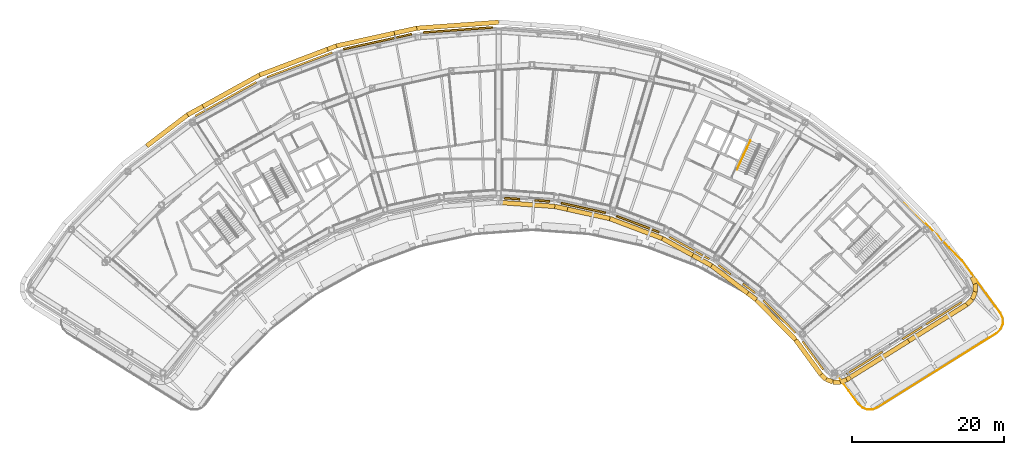
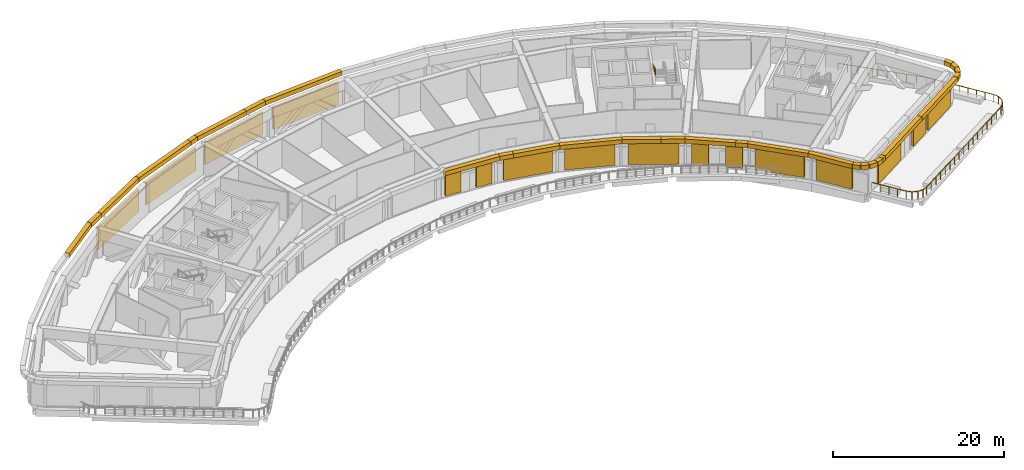
# One storey, part 23 of 26: 29 coverings, 16 shading devices, 2 railings.
"""IFC4 building model written with IfcOpenShell, lengths in metres."""

from ifc_helpers import new_model, si_unit, direction, frame, origin, origin_2d, place, context, subcontext, project, spatial, rectangle, circle, extrude, material, material_profile, profile_set, type_object, element, save


model = new_model("IFC4")

# Units and contexts
model_context = context("Model", 3, precision=1e-05, world=origin(), true_north=direction((0.0, 1.0)))
body_context = subcontext(model_context, "Body", "Model", "MODEL_VIEW")
ifc_project = project(units=[si_unit("LENGTHUNIT", "METRE"), si_unit("AREAUNIT", "SQUARE_METRE"), si_unit("VOLUMEUNIT", "CUBIC_METRE"), si_unit("PLANEANGLEUNIT", "RADIAN"), si_unit("MASSUNIT", "GRAM", prefix="KILO")], contexts=[model_context])

# Site, building, storey
site_placement = place(None, origin())
site = spatial("IfcSite", under=ifc_project, at=site_placement, CompositionType="ELEMENT")
building_placement = place(site_placement, origin())
building = spatial("IfcBuilding", under=site, at=building_placement, Name="Tuul Gate Civic Tower", CompositionType="ELEMENT")
storey_placement = place(building_placement, frame((0.0, 0.0, 167.60009765625)))
storey = spatial("IfcBuildingStorey", under=building, at=storey_placement, Name="Plant and refuge floor 5", CompositionType="ELEMENT", Elevation=167.60009765625)

# Shading devices
ifc_material_1 = material(Name="Aluminium louvre", Category="aluminium")
shading_device_type = type_object("IfcShadingDeviceType", Name="Louvre panel", PredefinedType="USERDEFINED", material=ifc_material_1)
for number, where, z_axis, x_axis, name in (
    (1, (-4.37646484375, 13.8037109375, 0.300048828125), (0.0, 0.0, 1.0), (-0.072232658914, 0.997387809724, 0.0), "Louvre panel"),
    (2, (-14.996826171875, 12.257080078125, 0.300048828125), (0.0, 0.0, 1.0), (-0.21523471371, 0.976562347223, 0.0), "Louvre panel"),
    (3, (-25.283203125, 9.19580078125, 0.300048828125), (0.0, 0.0, 1.0), (-0.35373363489, 0.935346200905, 0.0), "Louvre panel"),
    (4, (-35.021484375, 4.684326171875, 0.300048828125), (0.0, 0.0, 1.0), (-0.48478912347, 0.874631068374, 0.0), "Louvre panel"),
):
    element("IfcShadingDevice", number, at=place(storey_placement, frame(where, z_axis=z_axis, x_axis=x_axis)), inside=storey, type_object=shading_device_type, Name=name, ObjectType="LOUVRE", PredefinedType="USERDEFINED", context=body_context, shape_type="SweptSolid", body=[
        extrude(rectangle(XDim=0.25, YDim=9.199951171875, at=origin_2d()), origin(), (0.0, 0.0, 1.0), 3.14990234375),
    ])
for number, where, z_axis, x_axis, name in (
    (5, (2.733154296875, -8.442626953125, 0.300048828125), (0.0, 0.0, 1.0), (-0.072276176045, -0.997384657179, 0.0), "Louvre panel"),
    (6, (6.73583984375, -8.732666015625, 0.300048828125), (0.0, 0.0, 1.0), (-0.072276176045, -0.997384657179, 0.0), "Louvre panel"),
):
    element("IfcShadingDevice", number, at=place(storey_placement, frame(where, z_axis=z_axis, x_axis=x_axis)), inside=storey, type_object=shading_device_type, Name=name, ObjectType="LOUVRE", PredefinedType="USERDEFINED", context=body_context, shape_type="SweptSolid", body=[
        extrude(rectangle(XDim=0.25, YDim=2.0, at=origin_2d()), origin(), (0.0, 0.0, 1.0), 3.14990234375),
    ])
for number, where, z_axis, x_axis, name in (
    (7, (12.14501953125, -9.6669921875, 0.300048828125), (0.0, 0.0, 1.0), (-0.215241961183, -0.976560749849, 0.0), "Louvre panel"),
    (8, (19.32275390625, -11.802978515625, 0.300048828125), (0.0, 0.0, 1.0), (-0.353684769481, -0.935364679597, 0.0), "Louvre panel"),
    (9, (26.117919921875, -14.950927734375, 0.300048828125), (0.0, 0.0, 1.0), (-0.48480794476, -0.874620635875, 0.0), "Louvre panel"),
):
    element("IfcShadingDevice", number, at=place(storey_placement, frame(where, z_axis=z_axis, x_axis=x_axis)), inside=storey, type_object=shading_device_type, Name=name, ObjectType="LOUVRE", PredefinedType="USERDEFINED", context=body_context, shape_type="SweptSolid", body=[
        extrude(rectangle(XDim=0.25, YDim=6.0, at=origin_2d()), origin(), (0.0, 0.0, 1.0), 3.14990234375),
    ])
for number, where, z_axis, x_axis, name in (
    (10, (30.791748046875, -17.829833984375, 0.300048828125), (0.0, 0.0, 1.0), (-0.605851052715, -0.795578092914, 0.0), "Louvre panel"),
    (11, (33.984619140625, -20.26123046875, 0.300048828125), (0.0, 0.0, 1.0), (-0.605851052715, -0.795578092914, 0.0), "Louvre panel"),
):
    element("IfcShadingDevice", number, at=place(storey_placement, frame(where, z_axis=z_axis, x_axis=x_axis)), inside=storey, type_object=shading_device_type, Name=name, ObjectType="LOUVRE", PredefinedType="USERDEFINED", context=body_context, shape_type="SweptSolid", body=[
        extrude(rectangle(XDim=0.25, YDim=2.0, at=origin_2d()), origin(), (0.0, 0.0, 1.0), 3.14990234375),
    ])
shading_device_1_placement = place(storey_placement, frame((38.003173828125, -24.00048828125, 0.300048828125), z_axis=(0.0, 0.0, 1.0), x_axis=(-0.714048093092, -0.700096651008, 0.0)))
element("IfcShadingDevice", 12, at=shading_device_1_placement, inside=storey, type_object=shading_device_type, Name="Louvre panel", ObjectType="LOUVRE", PredefinedType="USERDEFINED", context=body_context, shape_type="SweptSolid", body=[
    extrude(rectangle(XDim=0.25, YDim=6.0, at=origin_2d()), origin(), (0.0, 0.0, 1.0), 3.14990234375),
])
shading_device_2_placement = place(storey_placement, frame((42.42626953125, -29.138916015625, 0.300048828125), z_axis=(0.0, 0.0, 1.0), x_axis=(-0.807595190444, -0.589737236717, 0.0)))
element("IfcShadingDevice", 13, at=shading_device_2_placement, inside=storey, type_object=shading_device_type, Name="Louvre panel", ObjectType="LOUVRE", PredefinedType="USERDEFINED", context=body_context, shape_type="SweptSolid", body=[
    extrude(rectangle(XDim=0.25, YDim=4.60009765625, at=origin_2d()), origin(), (0.0, 0.0, 1.0), 3.14990234375),
])
for number, where, z_axis, x_axis, name in (
    (14, (49.224853515625, -30.11279296875, 0.300048828125), (0.0, 0.0, 1.0), (0.529911707044, -0.848052818366, 0.0), "Louvre panel"),
    (15, (59.711669921875, -23.56005859375, 0.300048828125), (0.0, 0.0, 1.0), (0.529911707044, -0.848052818366, 0.0), "Louvre panel"),
):
    element("IfcShadingDevice", number, at=place(storey_placement, frame(where, z_axis=z_axis, x_axis=x_axis)), inside=storey, type_object=shading_device_type, Name=name, ObjectType="LOUVRE", PredefinedType="USERDEFINED", context=body_context, shape_type="SweptSolid", body=[
        extrude(rectangle(XDim=0.25, YDim=5.550048828125, at=origin_2d()), origin(), (0.0, 0.0, 1.0), 3.14990234375),
    ])
shading_device_3_placement = place(storey_placement, frame((55.5244140625, -26.176513671875, 0.300048828125), z_axis=(0.0, 0.0, 1.0), x_axis=(0.529911707029, -0.848052818375, 0.0)))
element("IfcShadingDevice", 16, at=shading_device_3_placement, inside=storey, type_object=shading_device_type, Name="Louvre panel", ObjectType="LOUVRE", PredefinedType="USERDEFINED", context=body_context, shape_type="SweptSolid", body=[
    extrude(rectangle(XDim=0.25, YDim=3.050048828125, at=origin_2d()), origin(), (0.0, 0.0, 1.0), 3.14990234375),
])

# Railings
ifc_material_2 = material(Name="Painted steel", Category="steel")
railing_type_1 = type_object("IfcRailingType", Name="Stair handrail", PredefinedType="HANDRAIL", material=ifc_material_2)
railing_1_placement = place(storey_placement, frame((34.1728515625, -0.795166015625, 2.39990234375)))
element("IfcRailing", 17, at=railing_1_placement, inside=storey, type_object=railing_type_1, Name="Plant and refuge floor 5 ST-4 stair handrail 2", PredefinedType="HANDRAIL", context=body_context, shape_type="SweptSolid", body=[
    extrude(circle(Radius=0.02392578125, at=origin_2d()), frame((0.0, 0.0, 0.8759765625), z_axis=(-0.377986804777, -0.810617919294, 0.447241058416), x_axis=(0.906312300116, -0.422608583275, 0.0)), (0.0, 0.0, 1.0), 4.695556640625),
    extrude(circle(Radius=0.02099609375, at=origin_2d()), origin(), (0.0, 0.0, 1.0), 0.851806640625),
    extrude(circle(Radius=0.02099609375, at=origin_2d()), frame((-0.44384765625, -0.95166015625, 0.52490234375)), (0.0, 0.0, 1.0), 0.851806640625),
    extrude(circle(Radius=0.02099609375, at=origin_2d()), frame((-0.887451171875, -1.9033203125, 1.050048828125)), (0.0, 0.0, 1.0), 0.851806640625),
    extrude(circle(Radius=0.02099609375, at=origin_2d()), frame((-1.3310546875, -2.854736328125, 1.5751953125)), (0.0, 0.0, 1.0), 0.851806640625),
    extrude(circle(Radius=0.02099609375, at=origin_2d()), frame((-1.77490234375, -3.806396484375, 2.10009765625)), (0.0, 0.0, 1.0), 0.851806640625),
])
ifc_material_3 = material(Name="Stainless steel", Category="steel")
railing_type_2 = type_object("IfcRailingType", Name="Terrace guard", PredefinedType="GUARDRAIL", material=ifc_material_3)
railing_2_placement = place(storey_placement, frame((45.818359375, -31.95361328125, 0.0)))
element("IfcRailing", 18, at=railing_2_placement, inside=storey, type_object=railing_type_2, Name="Guard", PredefinedType="GUARDRAIL", context=body_context, shape_type="SweptSolid", body=[
    extrude(circle(Radius=0.02392578125, at=origin_2d()), frame((0.0, 0.0, 1.076171875), z_axis=(0.589801554857, -0.807548218925, 0.0), x_axis=(0.807548218925, 0.589801554857, 0.0)), (0.0, 0.0, 1.0), 4.441162109375),
    extrude(circle(Radius=0.02392578125, at=origin_2d()), frame((2.619384765625, -3.58642578125, 1.076171875), z_axis=(0.730176325427, -0.68325876049, 0.0), x_axis=(0.68325876049, 0.730176325427, 0.0)), (0.0, 0.0, 1.0), 0.702392578125),
    extrude(circle(Radius=0.02392578125, at=origin_2d()), frame((3.13232421875, -4.06640625, 1.076171875), z_axis=(0.9292820248, -0.369370976639, 0.0), x_axis=(0.369370976639, 0.9292820248, 0.0)), (0.0, 0.0, 1.0), 0.68798828125),
    extrude(circle(Radius=0.02392578125, at=origin_2d()), frame((3.771728515625, -4.320556640625, 1.076171875), z_axis=(0.999992381518, -0.003903447905, 0.0), x_axis=(0.003903447905, 0.999992381518, 0.0)), (0.0, 0.0, 1.0), 0.68798828125),
    extrude(circle(Radius=0.02392578125, at=origin_2d()), frame((4.459716796875, -4.3232421875, 1.076171875), z_axis=(0.931560391115, 0.363586630263, 0.0), x_axis=(-0.363586630263, 0.931560391115, 0.0)), (0.0, 0.0, 1.0), 0.702392578125),
    extrude(circle(Radius=0.02392578125, at=origin_2d()), frame((5.114013671875, -4.06787109375, 1.076171875), z_axis=(0.848051625188, 0.52991361656, 0.0), x_axis=(-0.52991361656, 0.848051625188, 0.0)), (0.0, 0.0, 1.0), 18.51904296875),
    extrude(circle(Radius=0.02392578125, at=origin_2d()), frame((20.819091796875, 5.74560546875, 1.076171875), z_axis=(0.722186485961, 0.69169840212, 0.0), x_axis=(-0.69169840212, 0.722186485961, 0.0)), (0.0, 0.0, 1.0), 0.768798828125),
    extrude(circle(Radius=0.02392578125, at=origin_2d()), frame((21.374267578125, 6.27734375, 1.076171875), z_axis=(0.386086812322, 0.922462450917, 0.0), x_axis=(-0.922462450917, 0.386086812322, 0.0)), (0.0, 0.0, 1.0), 0.753662109375),
    extrude(circle(Radius=0.02392578125, at=origin_2d()), frame((21.665283203125, 6.97265625, 1.076171875), z_axis=(-0.014923710973, 0.999888635224, 0.0), x_axis=(-0.999888635224, -0.014923710973, 0.0)), (0.0, 0.0, 1.0), 0.75244140625),
    extrude(circle(Radius=0.02392578125, at=origin_2d()), frame((21.654052734375, 7.72509765625, 1.076171875), z_axis=(-0.412989610667, 0.910735736359, 0.0), x_axis=(-0.910735736359, -0.412989610667, 0.0)), (0.0, 0.0, 1.0), 0.76904296875),
    extrude(circle(Radius=0.02392578125, at=origin_2d()), frame((21.33642578125, 8.425537109375, 1.076171875), z_axis=(-0.589712199688, 0.807613472856, 0.0), x_axis=(-0.807613472856, -0.589712199688, 0.0)), (0.0, 0.0, 1.0), 8.587890625),
    extrude(circle(Radius=0.02392578125, at=origin_2d()), frame((16.27197265625, 15.361328125, 1.076171875), z_axis=(-0.70001057352, 0.714132478578, 0.0), x_axis=(-0.714132478578, -0.70001057352, 0.0)), (0.0, 0.0, 1.0), 10.753173828125),
    extrude(circle(Radius=0.02099609375, at=origin_2d()), origin(), (0.0, 0.0, 1.0), 1.052001953125),
    extrude(circle(Radius=0.02099609375, at=origin_2d()), frame((0.65478515625, -0.896484375, 0.0)), (0.0, 0.0, 1.0), 1.052001953125),
    extrude(circle(Radius=0.02099609375, at=origin_2d()), frame((1.3095703125, -1.793212890625, 0.0)), (0.0, 0.0, 1.0), 1.052001953125),
    extrude(circle(Radius=0.02099609375, at=origin_2d()), frame((1.964599609375, -2.68994140625, 0.0)), (0.0, 0.0, 1.0), 1.052001953125),
    extrude(circle(Radius=0.02099609375, at=origin_2d()), frame((2.619384765625, -3.58642578125, 0.0)), (0.0, 0.0, 1.0), 1.052001953125),
    extrude(circle(Radius=0.02099609375, at=origin_2d()), frame((3.13232421875, -4.06640625, 0.0)), (0.0, 0.0, 1.0), 1.052001953125),
    extrude(circle(Radius=0.02099609375, at=origin_2d()), frame((3.771728515625, -4.320556640625, 0.0)), (0.0, 0.0, 1.0), 1.052001953125),
    extrude(circle(Radius=0.02099609375, at=origin_2d()), frame((4.459716796875, -4.3232421875, 0.0)), (0.0, 0.0, 1.0), 1.052001953125),
    extrude(circle(Radius=0.02099609375, at=origin_2d()), frame((5.114013671875, -4.06787109375, 0.0)), (0.0, 0.0, 1.0), 1.052001953125),
    extrude(circle(Radius=0.02099609375, at=origin_2d()), frame((6.095703125, -3.45458984375, 0.0)), (0.0, 0.0, 1.0), 1.052001953125),
    extrude(circle(Radius=0.02099609375, at=origin_2d()), frame((7.0771484375, -2.84130859375, 0.0)), (0.0, 0.0, 1.0), 1.052001953125),
    extrude(circle(Radius=0.02099609375, at=origin_2d()), frame((8.05859375, -2.227783203125, 0.0)), (0.0, 0.0, 1.0), 1.052001953125),
    extrude(circle(Radius=0.02099609375, at=origin_2d()), frame((9.040283203125, -1.614501953125, 0.0)), (0.0, 0.0, 1.0), 1.052001953125),
    extrude(circle(Radius=0.02099609375, at=origin_2d()), frame((10.02197265625, -1.001220703125, 0.0)), (0.0, 0.0, 1.0), 1.052001953125),
    extrude(circle(Radius=0.02099609375, at=origin_2d()), frame((11.00341796875, -0.3876953125, 0.0)), (0.0, 0.0, 1.0), 1.052001953125),
    extrude(circle(Radius=0.02099609375, at=origin_2d()), frame((11.98486328125, 0.2255859375, 0.0)), (0.0, 0.0, 1.0), 1.052001953125),
    extrude(circle(Radius=0.02099609375, at=origin_2d()), frame((12.966552734375, 0.8388671875, 0.0)), (0.0, 0.0, 1.0), 1.052001953125),
    extrude(circle(Radius=0.02099609375, at=origin_2d()), frame((13.9482421875, 1.4521484375, 0.0)), (0.0, 0.0, 1.0), 1.052001953125),
    extrude(circle(Radius=0.02099609375, at=origin_2d()), frame((14.9296875, 2.0654296875, 0.0)), (0.0, 0.0, 1.0), 1.052001953125),
    extrude(circle(Radius=0.02099609375, at=origin_2d()), frame((15.9111328125, 2.678955078125, 0.0)), (0.0, 0.0, 1.0), 1.052001953125),
    extrude(circle(Radius=0.02099609375, at=origin_2d()), frame((16.892822265625, 3.292236328125, 0.0)), (0.0, 0.0, 1.0), 1.052001953125),
    extrude(circle(Radius=0.02099609375, at=origin_2d()), frame((17.87451171875, 3.905517578125, 0.0)), (0.0, 0.0, 1.0), 1.052001953125),
    extrude(circle(Radius=0.02099609375, at=origin_2d()), frame((18.85595703125, 4.51904296875, 0.0)), (0.0, 0.0, 1.0), 1.052001953125),
    extrude(circle(Radius=0.02099609375, at=origin_2d()), frame((19.83740234375, 5.13232421875, 0.0)), (0.0, 0.0, 1.0), 1.052001953125),
    extrude(circle(Radius=0.02099609375, at=origin_2d()), frame((20.819091796875, 5.74560546875, 0.0)), (0.0, 0.0, 1.0), 1.052001953125),
    extrude(circle(Radius=0.02099609375, at=origin_2d()), frame((21.374267578125, 6.27734375, 0.0)), (0.0, 0.0, 1.0), 1.052001953125),
    extrude(circle(Radius=0.02099609375, at=origin_2d()), frame((21.665283203125, 6.97265625, 0.0)), (0.0, 0.0, 1.0), 1.052001953125),
    extrude(circle(Radius=0.02099609375, at=origin_2d()), frame((21.654052734375, 7.72509765625, 0.0)), (0.0, 0.0, 1.0), 1.052001953125),
    extrude(circle(Radius=0.02099609375, at=origin_2d()), frame((21.33642578125, 8.425537109375, 0.0)), (0.0, 0.0, 1.0), 1.052001953125),
    extrude(circle(Radius=0.02099609375, at=origin_2d()), frame((20.703369140625, 9.29248046875, 0.0)), (0.0, 0.0, 1.0), 1.052001953125),
    extrude(circle(Radius=0.02099609375, at=origin_2d()), frame((20.0703125, 10.159423828125, 0.0)), (0.0, 0.0, 1.0), 1.052001953125),
    extrude(circle(Radius=0.02099609375, at=origin_2d()), frame((19.437255859375, 11.0263671875, 0.0)), (0.0, 0.0, 1.0), 1.052001953125),
    extrude(circle(Radius=0.02099609375, at=origin_2d()), frame((18.80419921875, 11.8935546875, 0.0)), (0.0, 0.0, 1.0), 1.052001953125),
    extrude(circle(Radius=0.02099609375, at=origin_2d()), frame((18.171142578125, 12.760498046875, 0.0)), (0.0, 0.0, 1.0), 1.052001953125),
    extrude(circle(Radius=0.02099609375, at=origin_2d()), frame((17.5380859375, 13.62744140625, 0.0)), (0.0, 0.0, 1.0), 1.052001953125),
    extrude(circle(Radius=0.02099609375, at=origin_2d()), frame((16.905029296875, 14.494384765625, 0.0)), (0.0, 0.0, 1.0), 1.052001953125),
    extrude(circle(Radius=0.02099609375, at=origin_2d()), frame((16.27197265625, 15.361328125, 0.0)), (0.0, 0.0, 1.0), 1.052001953125),
    extrude(circle(Radius=0.02099609375, at=origin_2d()), frame((15.435546875, 16.214599609375, 0.0)), (0.0, 0.0, 1.0), 1.052001953125),
    extrude(circle(Radius=0.02099609375, at=origin_2d()), frame((14.59912109375, 17.06787109375, 0.0)), (0.0, 0.0, 1.0), 1.052001953125),
    extrude(circle(Radius=0.02099609375, at=origin_2d()), frame((13.762939453125, 17.921142578125, 0.0)), (0.0, 0.0, 1.0), 1.052001953125),
    extrude(circle(Radius=0.02099609375, at=origin_2d()), frame((12.926513671875, 18.7744140625, 0.0)), (0.0, 0.0, 1.0), 1.052001953125),
    extrude(circle(Radius=0.02099609375, at=origin_2d()), frame((12.090087890625, 19.62744140625, 0.0)), (0.0, 0.0, 1.0), 1.052001953125),
    extrude(circle(Radius=0.02099609375, at=origin_2d()), frame((11.253662109375, 20.480712890625, 0.0)), (0.0, 0.0, 1.0), 1.052001953125),
    extrude(circle(Radius=0.02099609375, at=origin_2d()), frame((10.41748046875, 21.333984375, 0.0)), (0.0, 0.0, 1.0), 1.052001953125),
    extrude(circle(Radius=0.02099609375, at=origin_2d()), frame((9.5810546875, 22.187255859375, 0.0)), (0.0, 0.0, 1.0), 1.052001953125),
    extrude(circle(Radius=0.02099609375, at=origin_2d()), frame((8.74462890625, 23.04052734375, 0.0)), (0.0, 0.0, 1.0), 1.052001953125),
])

# Coverings
ifc_material_4 = material(Name="Terracotta baguette", Category="masonry")
ifc_material_profile = material_profile(ifc_material_4, rectangle(XDim=0.60009765625, YDim=0.60009765625, at=origin_2d()), Name="Terracotta baguette screen frame")
ifc_profile_set = profile_set([ifc_material_profile], Name="Terracotta baguette")
covering_type = type_object("IfcCoveringType", Name="Terracotta baguette screen frame", PredefinedType="CLADDING", material=ifc_profile_set)
covering_1_placement = place(storey_placement, frame((-12.78857421875, 13.3837890625, 4.14990234375), z_axis=(-0.976561499416, -0.21523856034, 0.0), x_axis=(0.21523856034, -0.976561499416, 0.0)))
element("IfcCovering", 19, at=covering_1_placement, inside=storey, type_object=covering_type, Name="Baguette 87", PredefinedType="CLADDING", context=body_context, shape_type="SweptSolid", body=[
    extrude(rectangle(XDim=0.60009765625, YDim=0.60009765625, at=origin_2d()), origin(), (0.0, 0.0, 1.0), 7.82421875),
])
covering_2_placement = place(storey_placement, frame((-20.429443359375, 11.69970703125, 4.14990234375), z_axis=(-0.935377216665, -0.353651611821, 0.0), x_axis=(0.353651611821, -0.935377216665, 0.0)))
element("IfcCovering", 20, at=covering_2_placement, inside=storey, type_object=covering_type, Name="Baguette 88", PredefinedType="CLADDING", context=body_context, shape_type="SweptSolid", body=[
    extrude(rectangle(XDim=0.60009765625, YDim=0.60009765625, at=origin_2d()), origin(), (0.0, 0.0, 1.0), 1.248046875),
])
covering_3_placement = place(storey_placement, frame((-38.050048828125, 3.72021484375, 4.14990234375), z_axis=(-0.874635533346, -0.484781067915, 0.0), x_axis=(0.484781067915, -0.874635533346, 0.0)))
element("IfcCovering", 21, at=covering_3_placement, inside=storey, type_object=covering_type, Name="Baguette 105", PredefinedType="CLADDING", context=body_context, shape_type="SweptSolid", body=[
    extrude(rectangle(XDim=0.60009765625, YDim=0.60009765625, at=origin_2d()), origin(), (0.0, 0.0, 1.0), 2.3095703125),
])
covering_4_placement = place(storey_placement, frame((-40.070068359375, 2.6005859375, 4.14990234375), z_axis=(-0.795616483898, -0.605800635977, 0.0), x_axis=(0.605800635977, -0.795616483898, 0.0)))
element("IfcCovering", 22, at=covering_4_placement, inside=storey, type_object=covering_type, Name="Baguette 106", PredefinedType="CLADDING", context=body_context, shape_type="SweptSolid", body=[
    extrude(rectangle(XDim=0.60009765625, YDim=0.60009765625, at=origin_2d()), origin(), (0.0, 0.0, 1.0), 6.762939453125),
])
covering_5_placement = place(storey_placement, frame((1.251953125, -8.9619140625, 4.14990234375), z_axis=(0.997385437558, -0.072265406293, 0.0), x_axis=(0.072265406293, 0.997385437558, 0.0)))
element("IfcCovering", 23, at=covering_5_placement, inside=storey, type_object=covering_type, Name="Baguette 220", PredefinedType="CLADDING", context=body_context, shape_type="SweptSolid", body=[
    extrude(rectangle(XDim=0.60009765625, YDim=0.60009765625, at=origin_2d()), origin(), (0.0, 0.0, 1.0), 7.155517578125),
])
covering_6_placement = place(storey_placement, frame((8.388671875, -9.47900390625, 4.14990234375), z_axis=(0.976551365634, -0.215284533302, 0.0), x_axis=(0.215284533302, 0.976551365634, 0.0)))
element("IfcCovering", 24, at=covering_6_placement, inside=storey, type_object=covering_type, Name="Baguette 221", PredefinedType="CLADDING", context=body_context, shape_type="SweptSolid", body=[
    extrude(rectangle(XDim=0.60009765625, YDim=0.60009765625, at=origin_2d()), origin(), (0.0, 0.0, 1.0), 1.696533203125),
])
covering_7_placement = place(storey_placement, frame((26.5634765625, -15.912353515625, 4.14990234375), z_axis=(0.874604932638, -0.484836273195, 0.0), x_axis=(0.484836273195, 0.874604932638, 0.0)))
element("IfcCovering", 25, at=covering_7_placement, inside=storey, type_object=covering_type, Name="Baguette 240", PredefinedType="CLADDING", context=body_context, shape_type="SweptSolid", body=[
    extrude(rectangle(XDim=0.60009765625, YDim=0.60009765625, at=origin_2d()), origin(), (0.0, 0.0, 1.0), 2.85302734375),
])
covering_8_placement = place(storey_placement, frame((29.058837890625, -17.295654296875, 4.14990234375), z_axis=(0.795583046267, -0.605844548124, 0.0), x_axis=(0.605844548124, 0.795583046267, 0.0)))
element("IfcCovering", 26, at=covering_8_placement, inside=storey, type_object=covering_type, Name="Baguette 241", PredefinedType="CLADDING", context=body_context, shape_type="SweptSolid", body=[
    extrude(rectangle(XDim=0.60009765625, YDim=0.60009765625, at=origin_2d()), origin(), (0.0, 0.0, 1.0), 5.998779296875),
])
covering_9_placement = place(storey_placement, frame((47.375, -32.005859375, 4.14990234375), z_axis=(0.848051326016, 0.529914095342, 0.0), x_axis=(-0.529914095342, 0.848051326016, 0.0)))
element("IfcCovering", 27, at=covering_9_placement, inside=storey, type_object=covering_type, Name="Baguette 282", PredefinedType="CLADDING", context=body_context, shape_type="SweptSolid", body=[
    extrude(rectangle(XDim=0.60009765625, YDim=0.60009765625, at=origin_2d()), origin(), (0.0, 0.0, 1.0), 9.052978515625),
])
covering_10_placement = place(storey_placement, frame((0.989990234375, 14.819091796875, 4.14990234375), z_axis=(-0.99738728677, -0.072239879499, 0.0), x_axis=(0.072239879499, -0.99738728677, 0.0)))
element("IfcCovering", 28, at=covering_10_placement, inside=storey, type_object=covering_type, Name="Baguette 369", PredefinedType="CLADDING", context=body_context, shape_type="SweptSolid", body=[
    extrude(rectangle(XDim=0.60009765625, YDim=0.60009765625, at=origin_2d()), origin(), (0.0, 0.0, 1.0), 10.851806640625),
])
covering_11_placement = place(storey_placement, frame((-9.83349609375, 14.03515625, 4.14990234375), z_axis=(-0.976557704087, -0.215255779453, 0.0), x_axis=(0.215255779453, -0.976557704087, 0.0)))
element("IfcCovering", 29, at=covering_11_placement, inside=storey, type_object=covering_type, Name="Baguette 370", PredefinedType="CLADDING", context=body_context, shape_type="SweptSolid", body=[
    extrude(rectangle(XDim=0.60009765625, YDim=0.60009765625, at=origin_2d()), origin(), (0.0, 0.0, 1.0), 3.026123046875),
])
covering_12_placement = place(storey_placement, frame((-21.596923828125, 11.25830078125, 4.14990234375), z_axis=(-0.935344466334, -0.353738221428, 0.0), x_axis=(0.353738221428, -0.935344466334, 0.0)))
element("IfcCovering", 30, at=covering_12_placement, inside=storey, type_object=covering_type, Name="Baguette 371", PredefinedType="CLADDING", context=body_context, shape_type="SweptSolid", body=[
    extrude(rectangle(XDim=0.60009765625, YDim=0.60009765625, at=origin_2d()), origin(), (0.0, 0.0, 1.0), 9.60302734375),
])
covering_13_placement = place(storey_placement, frame((-30.5791015625, 7.861328125, 4.14990234375), z_axis=(-0.874624691551, -0.484800628021, 0.0), x_axis=(0.484800628021, -0.874624691551, 0.0)))
element("IfcCovering", 31, at=covering_13_placement, inside=storey, type_object=covering_type, Name="Baguette 372", PredefinedType="CLADDING", context=body_context, shape_type="SweptSolid", body=[
    extrude(rectangle(XDim=0.60009765625, YDim=0.60009765625, at=origin_2d()), origin(), (0.0, 0.0, 1.0), 8.5419921875),
])
covering_14_placement = place(storey_placement, frame((10.04541015625, -9.84423828125, 4.14990234375), z_axis=(0.976561115954, -0.215240300147, 0.0), x_axis=(0.215240300147, 0.976561115954, 0.0)))
element("IfcCovering", 32, at=covering_14_placement, inside=storey, type_object=covering_type, Name="Baguette 384", PredefinedType="CLADDING", context=body_context, shape_type="SweptSolid", body=[
    extrude(rectangle(XDim=0.60009765625, YDim=0.60009765625, at=origin_2d()), origin(), (0.0, 0.0, 1.0), 5.72119140625),
])
covering_15_placement = place(storey_placement, frame((15.632568359375, -11.07568359375, 4.14990234375), z_axis=(0.935363965038, -0.353686659217, 0.0), x_axis=(0.353686659217, 0.935363965038, 0.0)))
element("IfcCovering", 33, at=covering_15_placement, inside=storey, type_object=covering_type, Name="Baguette 385", PredefinedType="CLADDING", context=body_context, shape_type="SweptSolid", body=[
    extrude(rectangle(XDim=0.60009765625, YDim=0.60009765625, at=origin_2d()), origin(), (0.0, 0.0, 1.0), 7.417724609375),
])
covering_16_placement = place(storey_placement, frame((22.57080078125, -13.69921875, 4.14990234375), z_axis=(0.874623567378, -0.484802656126, 0.0), x_axis=(0.484802656126, 0.874623567378, 0.0)))
element("IfcCovering", 34, at=covering_16_placement, inside=storey, type_object=covering_type, Name="Baguette 386", PredefinedType="CLADDING", context=body_context, shape_type="SweptSolid", body=[
    extrude(rectangle(XDim=0.60009765625, YDim=0.60009765625, at=origin_2d()), origin(), (0.0, 0.0, 1.0), 4.56494140625),
])
covering_17_placement = place(storey_placement, frame((33.831298828125, -20.929931640625, 4.14990234375), z_axis=(0.795581748372, -0.60584625249, 0.0), x_axis=(0.60584625249, 0.795581748372, 0.0)))
element("IfcCovering", 35, at=covering_17_placement, inside=storey, type_object=covering_type, Name="Baguette 387", PredefinedType="CLADDING", context=body_context, shape_type="SweptSolid", body=[
    extrude(rectangle(XDim=0.60009765625, YDim=0.60009765625, at=origin_2d()), origin(), (0.0, 0.0, 1.0), 1.419189453125),
])
covering_18_placement = place(storey_placement, frame((34.96044921875, -21.789794921875, 4.14990234375), z_axis=(0.700094446295, -0.714050254721, 0.0), x_axis=(0.714050254721, 0.700094446295, 0.0)))
element("IfcCovering", 36, at=covering_18_placement, inside=storey, type_object=covering_type, Name="Baguette 388", PredefinedType="CLADDING", context=body_context, shape_type="SweptSolid", body=[
    extrude(rectangle(XDim=0.60009765625, YDim=0.60009765625, at=origin_2d()), origin(), (0.0, 0.0, 1.0), 7.41748046875),
])
covering_19_placement = place(storey_placement, frame((40.1533203125, -27.086181640625, 4.14990234375), z_axis=(0.589729447422, -0.807600878432, 0.0), x_axis=(0.807600878432, 0.589729447422, 0.0)))
element("IfcCovering", 37, at=covering_19_placement, inside=storey, type_object=covering_type, Name="Baguette 389", PredefinedType="CLADDING", context=body_context, shape_type="SweptSolid", body=[
    extrude(rectangle(XDim=0.60009765625, YDim=0.60009765625, at=origin_2d()), origin(), (0.0, 0.0, 1.0), 5.671142578125),
])
covering_20_placement = place(storey_placement, frame((43.497802734375, -31.666259765625, 4.14990234375), z_axis=(0.730009901199, -0.683436569223, 0.0), x_axis=(0.683436569223, 0.730009901199, 0.0)))
element("IfcCovering", 38, at=covering_20_placement, inside=storey, type_object=covering_type, Name="Baguette 390", PredefinedType="CLADDING", context=body_context, shape_type="SweptSolid", body=[
    extrude(rectangle(XDim=0.60009765625, YDim=0.60009765625, at=origin_2d()), origin(), (0.0, 0.0, 1.0), 0.901611328125),
])
covering_21_placement = place(storey_placement, frame((44.156005859375, -32.282470703125, 4.14990234375), z_axis=(0.929183562745, -0.369618596292, 0.0), x_axis=(0.369618596292, 0.929183562745, 0.0)))
element("IfcCovering", 39, at=covering_21_placement, inside=storey, type_object=covering_type, Name="Baguette 391", PredefinedType="CLADDING", context=body_context, shape_type="SweptSolid", body=[
    extrude(rectangle(XDim=0.60009765625, YDim=0.60009765625, at=origin_2d()), origin(), (0.0, 0.0, 1.0), 0.974365234375),
])
covering_22_placement = place(storey_placement, frame((45.061279296875, -32.642578125, 4.14990234375), z_axis=(0.999995472909, -0.003009013459, 0.0), x_axis=(0.003009013459, 0.999995472909, 0.0)))
element("IfcCovering", 40, at=covering_22_placement, inside=storey, type_object=covering_type, Name="Baguette 392", PredefinedType="CLADDING", context=body_context, shape_type="SweptSolid", body=[
    extrude(rectangle(XDim=0.60009765625, YDim=0.60009765625, at=origin_2d()), origin(), (0.0, 0.0, 1.0), 0.9736328125),
])
covering_23_placement = place(storey_placement, frame((46.034912109375, -32.6455078125, 4.14990234375), z_axis=(0.931801188997, 0.362969067807, 0.0), x_axis=(-0.362969067807, 0.931801188997, 0.0)))
element("IfcCovering", 41, at=covering_23_placement, inside=storey, type_object=covering_type, Name="Baguette 393", PredefinedType="CLADDING", context=body_context, shape_type="SweptSolid", body=[
    extrude(rectangle(XDim=0.60009765625, YDim=0.60009765625, at=origin_2d()), origin(), (0.0, 0.0, 1.0), 0.9013671875),
])
covering_24_placement = place(storey_placement, frame((46.874755859375, -32.318359375, 4.14990234375), z_axis=(0.848114552231, 0.52981289744, 0.0), x_axis=(-0.52981289744, 0.848114552231, 0.0)))
element("IfcCovering", 42, at=covering_24_placement, inside=storey, type_object=covering_type, Name="Baguette 394", PredefinedType="CLADDING", context=body_context, shape_type="SweptSolid", body=[
    extrude(rectangle(XDim=0.60009765625, YDim=0.60009765625, at=origin_2d()), origin(), (0.0, 0.0, 1.0), 0.58984375),
])
covering_25_placement = place(storey_placement, frame((55.052490234375, -27.20849609375, 4.14990234375), z_axis=(0.848051326016, 0.529914095342, 0.0), x_axis=(-0.529914095342, 0.848051326016, 0.0)))
element("IfcCovering", 43, at=covering_25_placement, inside=storey, type_object=covering_type, Name="Baguette 395", PredefinedType="CLADDING", context=body_context, shape_type="SweptSolid", body=[
    extrude(rectangle(XDim=0.60009765625, YDim=0.60009765625, at=origin_2d()), origin(), (0.0, 0.0, 1.0), 9.052978515625),
])
covering_26_placement = place(storey_placement, frame((62.72998046875, -22.4111328125, 4.14990234375), z_axis=(0.722137314744, 0.691749737011, 0.0), x_axis=(-0.691749737011, 0.722137314744, 0.0)))
element("IfcCovering", 44, at=covering_26_placement, inside=storey, type_object=covering_type, Name="Baguette 396", PredefinedType="CLADDING", context=body_context, shape_type="SweptSolid", body=[
    extrude(rectangle(XDim=0.60009765625, YDim=0.60009765625, at=origin_2d()), origin(), (0.0, 0.0, 1.0), 0.98828125),
])
covering_27_placement = place(storey_placement, frame((63.443603515625, -21.7275390625, 4.14990234375), z_axis=(0.385784883999, 0.922588761734, 0.0), x_axis=(-0.922588761734, 0.385784883999, 0.0)))
element("IfcCovering", 45, at=covering_27_placement, inside=storey, type_object=covering_type, Name="Baguette 397", PredefinedType="CLADDING", context=body_context, shape_type="SweptSolid", body=[
    extrude(rectangle(XDim=0.60009765625, YDim=0.60009765625, at=origin_2d()), origin(), (0.0, 0.0, 1.0), 1.06689453125),
])
covering_28_placement = place(storey_placement, frame((63.855224609375, -20.7431640625, 4.14990234375), z_axis=(-0.014633694716, 0.999892921757, 0.0), x_axis=(-0.999892921757, -0.014633694716, 0.0)))
element("IfcCovering", 46, at=covering_28_placement, inside=storey, type_object=covering_type, Name="Baguette 398", PredefinedType="CLADDING", context=body_context, shape_type="SweptSolid", body=[
    extrude(rectangle(XDim=0.60009765625, YDim=0.60009765625, at=origin_2d()), origin(), (0.0, 0.0, 1.0), 1.067626953125),
])
covering_29_placement = place(storey_placement, frame((63.839599609375, -19.675537109375, 4.14990234375), z_axis=(-0.413393330634, 0.910552554325, 0.0), x_axis=(-0.910552554325, -0.413393330634, 0.0)))
element("IfcCovering", 47, at=covering_29_placement, inside=storey, type_object=covering_type, Name="Baguette 399", PredefinedType="CLADDING", context=body_context, shape_type="SweptSolid", body=[
    extrude(rectangle(XDim=0.60009765625, YDim=0.60009765625, at=origin_2d()), origin(), (0.0, 0.0, 1.0), 0.988037109375),
])

save(model, "model.ifc")
